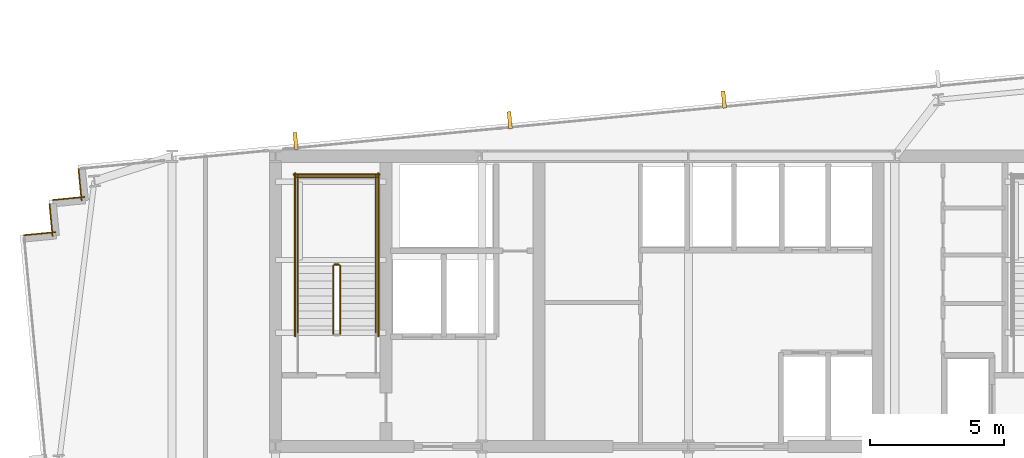
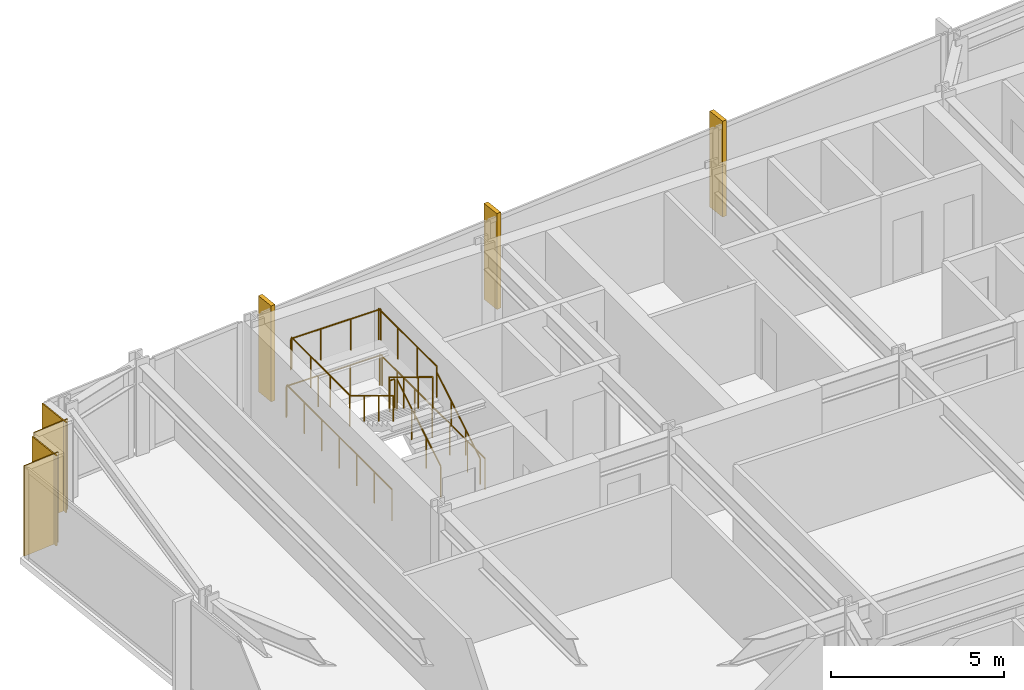
# One storey, part 31 of 32: 11 railings, 4 coverings, 3 shading devices.
"""IFC4 building model written with IfcOpenShell, lengths in metres."""

from ifc_helpers import new_model, si_unit, direction, frame, frame_2d, origin, origin_2d, place, context, subcontext, project, spatial, rectangle, circle, extrude, material, layer, layer_set, type_object, element, save


model = new_model("IFC4")

# Units and contexts
model_context = context("Model", 3, precision=1e-05, world=origin(), true_north=direction((0.0, 1.0)))
body_context = subcontext(model_context, "Body", "Model", "MODEL_VIEW")
ifc_project = project(units=[si_unit("LENGTHUNIT", "METRE"), si_unit("AREAUNIT", "SQUARE_METRE"), si_unit("VOLUMEUNIT", "CUBIC_METRE"), si_unit("PLANEANGLEUNIT", "RADIAN"), si_unit("MASSUNIT", "GRAM", prefix="KILO")], contexts=[model_context])

# Site, building, storey
site_placement = place(None, origin())
site = spatial("IfcSite", under=ifc_project, at=site_placement, CompositionType="ELEMENT")
building_placement = place(site_placement, origin())
building = spatial("IfcBuilding", under=site, at=building_placement, Name="Yelkora Congress Tower", CompositionType="ELEMENT")
storey_placement = place(building_placement, frame((0.0, 0.0, 99.89990234375)))
storey = spatial("IfcBuildingStorey", under=building, at=storey_placement, Name="L26", CompositionType="ELEMENT", Elevation=99.89990234375)

# Coverings
ifc_material_1 = material(Name="Anatolian bush-hammered limestone", Category="masonry")
ifc_layer_1 = layer(ifc_material_1, 0.0400390625)
ifc_layer_set_1 = layer_set([ifc_layer_1], Name="Anatolian bush-hammered limestone")
covering_type = type_object("IfcCoveringType", Name="COV-CLAD-SPANDREL-40", PredefinedType="CLADDING", material=ifc_layer_set_1)
for number, where, z_axis, x_axis, name in (
    (1, (13.677978515625, 43.260986328125, 0.0), (0.0, 0.0, 1.0), (0.995397091755, 0.095836473879, 0.0), "L26 Anatolian Limestone Cladding EW-L26-SR06"),
    (2, (14.7509765625, 43.228759765625, 0.0), (0.0, 0.0, 1.0), (-0.095836473879, 0.995397091755, 0.0), "L26 Anatolian Limestone Cladding EW-L26-SR07"),
):
    element("IfcCovering", number, at=place(storey_placement, frame(where, z_axis=z_axis, x_axis=x_axis)), inside=storey, type_object=covering_type, Name=name, PredefinedType="CLADDING", context=body_context, shape_type="SweptSolid", body=[
        extrude(rectangle(XDim=1.199951171875, YDim=0.0400390625, at=frame_2d((0.60009765625, 0.0))), origin(), (0.0, 0.0, 1.0), 3.18017578125),
    ])
for number, where, z_axis, x_axis, name in (
    (3, (14.75732421875, 44.570556640625, 0.0), (0.0, 0.0, 1.0), (0.995398960025, 0.095817067274, 0.0), "L26 Anatolian Limestone Cladding EW-L26-SR08"),
    (4, (15.830322265625, 44.5380859375, 0.0), (0.0, 0.0, 1.0), (-0.095817067274, 0.995398960025, 0.0), "L26 Anatolian Limestone Cladding EW-L26-SR09"),
):
    element("IfcCovering", number, at=place(storey_placement, frame(where, z_axis=z_axis, x_axis=x_axis)), inside=storey, type_object=covering_type, Name=name, PredefinedType="CLADDING", context=body_context, shape_type="SweptSolid", body=[
        extrude(rectangle(XDim=1.2001953125, YDim=0.0400390625, at=frame_2d((0.60009765625, 0.0))), origin(), (0.0, 0.0, 1.0), 3.18017578125),
    ])

# Railings
ifc_material_2 = material(Name="Painted galvanised steel stair well guard with vertical infill", Category="steel")
ifc_layer_2 = layer(ifc_material_2, 0.06005859375)
ifc_layer_set_2 = layer_set([ifc_layer_2], Name="Painted galvanised steel stair well guard with vertical infill")
railing_type_1 = type_object("IfcRailingType", Name="RAIL-STAIR-GUARD-1120", PredefinedType="GUARDRAIL", material=ifc_layer_set_2)
railing_1_placement = place(storey_placement, frame((25.449951171875, 39.60009765625, 0.170166015625)))
element("IfcRailing", 5, at=railing_1_placement, inside=storey, type_object=railing_type_1, Name="ST-01 L26 Stair Well Guardrail 1", PredefinedType="GUARDRAIL", context=body_context, shape_type="SweptSolid", body=[
    extrude(circle(Radius=0.02392578125, at=origin_2d()), frame((0.0, 0.0, 1.09619140625), z_axis=(0.0, 0.85478489116, 0.518982456201), x_axis=(-1.0, 0.0, 0.0)), (0.0, 0.0, 1.0), 2.9482421875),
    extrude(circle(Radius=0.02099609375, at=origin_2d()), origin(), (0.0, 0.0, 1.0), 1.072021484375),
    extrude(circle(Radius=0.02099609375, at=origin_2d()), frame((0.0, 0.840087890625, 0.510009765625)), (0.0, 0.0, 1.0), 1.072021484375),
    extrude(circle(Radius=0.02099609375, at=origin_2d()), frame((0.0, 1.679931640625, 1.02001953125)), (0.0, 0.0, 1.0), 1.072021484375),
    extrude(circle(Radius=0.02099609375, at=origin_2d()), frame((0.0, 2.52001953125, 1.530029296875)), (0.0, 0.0, 1.0), 1.072021484375),
])
railing_2_placement = place(storey_placement, frame((25.39990234375, 42.169921875, 1.7001953125)))
element("IfcRailing", 6, at=railing_2_placement, inside=storey, type_object=railing_type_1, Name="ST-01 L26 Stair Well Guardrail 2", PredefinedType="GUARDRAIL", context=body_context, shape_type="SweptSolid", body=[
    extrude(circle(Radius=0.02392578125, at=origin_2d()), frame((0.0, 0.0, 1.09619140625), z_axis=(-1.0, 0.0, 0.0), x_axis=(0.0, -1.0, 0.0)), (0.0, 0.0, 1.0), 0.159912109375),
    extrude(circle(Radius=0.02099609375, at=origin_2d()), origin(), (0.0, 0.0, 1.0), 1.072021484375),
    extrude(circle(Radius=0.02099609375, at=origin_2d()), frame((-0.159912109375, 0.0, 0.0)), (0.0, 0.0, 1.0), 1.072021484375),
])
for number, where, name in (
    (7, (26.77001953125, 42.1201171875, 1.7001953125), "ST-01 L26 Stair Well Guardrail 3"),
    (8, (23.8701171875, 42.1201171875, 1.7001953125), "ST-01 L26 Stair Well Guardrail 4"),
):
    element("IfcRailing", number, at=place(storey_placement, frame(where)), inside=storey, type_object=railing_type_1, Name=name, PredefinedType="GUARDRAIL", context=body_context, shape_type="SweptSolid", body=[
        extrude(circle(Radius=0.02392578125, at=origin_2d()), frame((0.0, 0.0, 1.09619140625), z_axis=(0.0, 1.0, 0.0), x_axis=(-1.0, 0.0, 0.0)), (0.0, 0.0, 1.0), 3.349853515625),
        extrude(circle(Radius=0.02099609375, at=origin_2d()), origin(), (0.0, 0.0, 1.0), 1.072021484375),
        extrude(circle(Radius=0.02099609375, at=origin_2d()), frame((0.0, 1.11669921875, 0.0)), (0.0, 0.0, 1.0), 1.072021484375),
        extrude(circle(Radius=0.02099609375, at=origin_2d()), frame((0.0, 2.233154296875, 0.0)), (0.0, 0.0, 1.0), 1.072021484375),
        extrude(circle(Radius=0.02099609375, at=origin_2d()), frame((0.0, 3.349853515625, 0.0)), (0.0, 0.0, 1.0), 1.072021484375),
    ])
railing_3_placement = place(storey_placement, frame((26.820068359375, 45.419921875, 1.7001953125)))
element("IfcRailing", 9, at=railing_3_placement, inside=storey, type_object=railing_type_1, Name="ST-01 L26 Stair Well Guardrail 5", PredefinedType="GUARDRAIL", context=body_context, shape_type="SweptSolid", body=[
    extrude(circle(Radius=0.02392578125, at=origin_2d()), frame((0.0, 0.0, 1.09619140625), z_axis=(-1.0, 0.0, 0.0), x_axis=(0.0, -1.0, 0.0)), (0.0, 0.0, 1.0), 3.0),
    extrude(circle(Radius=0.02099609375, at=origin_2d()), origin(), (0.0, 0.0, 1.0), 1.072021484375),
    extrude(circle(Radius=0.02099609375, at=origin_2d()), frame((-1.0, 0.0, 0.0)), (0.0, 0.0, 1.0), 1.072021484375),
    extrude(circle(Radius=0.02099609375, at=origin_2d()), frame((-2.0, 0.0, 0.0)), (0.0, 0.0, 1.0), 1.072021484375),
    extrude(circle(Radius=0.02099609375, at=origin_2d()), frame((-3.0, 0.0, 0.0)), (0.0, 0.0, 1.0), 1.072021484375),
])
railing_4_placement = place(storey_placement, frame((25.18994140625, 42.1201171875, 1.8701171875)))
element("IfcRailing", 10, at=railing_4_placement, inside=storey, type_object=railing_type_1, Name="ST-01 L26 Stair Well Guardrail 6", PredefinedType="GUARDRAIL", context=body_context, shape_type="SweptSolid", body=[
    extrude(circle(Radius=0.02392578125, at=origin_2d()), frame((0.0, 0.0, 1.09619140625), z_axis=(0.0, -0.85478489116, 0.518982456201), x_axis=(1.0, 0.0, 0.0)), (0.0, 0.0, 1.0), 2.9482421875),
    extrude(circle(Radius=0.02099609375, at=origin_2d()), origin(), (0.0, 0.0, 1.0), 1.072021484375),
    extrude(circle(Radius=0.02099609375, at=origin_2d()), frame((0.0, -0.840087890625, 0.510009765625)), (0.0, 0.0, 1.0), 1.072021484375),
    extrude(circle(Radius=0.02099609375, at=origin_2d()), frame((0.0, -1.679931640625, 1.02001953125)), (0.0, 0.0, 1.0), 1.072021484375),
    extrude(circle(Radius=0.02099609375, at=origin_2d()), frame((0.0, -2.52001953125, 1.530029296875)), (0.0, 0.0, 1.0), 1.072021484375),
])
for number, where, name in (
    (11, (26.8701171875, 39.5, 0.0), "ST-01 L26 Stair Well Guardrail 10"),
    (12, (23.77001953125, 39.5, 0.0), "ST-01 L26 Stair Well Guardrail 11"),
):
    element("IfcRailing", number, at=place(storey_placement, frame(where)), inside=storey, type_object=railing_type_1, Name=name, PredefinedType="GUARDRAIL", context=body_context, shape_type="SweptSolid", body=[
        extrude(circle(Radius=0.02392578125, at=origin_2d()), frame((0.0, 0.0, 1.09619140625), z_axis=(0.0, 1.0, 0.0), x_axis=(-1.0, 0.0, 0.0)), (0.0, 0.0, 1.0), 6.070068359375),
        extrude(circle(Radius=0.02099609375, at=origin_2d()), origin(), (0.0, 0.0, 1.0), 1.072021484375),
        extrude(circle(Radius=0.02099609375, at=origin_2d()), frame((0.0, 1.01171875, 0.0)), (0.0, 0.0, 1.0), 1.072021484375),
        extrude(circle(Radius=0.02099609375, at=origin_2d()), frame((0.0, 2.0234375, 0.0)), (0.0, 0.0, 1.0), 1.072021484375),
        extrude(circle(Radius=0.02099609375, at=origin_2d()), frame((0.0, 3.03515625, 0.0)), (0.0, 0.0, 1.0), 1.072021484375),
        extrude(circle(Radius=0.02099609375, at=origin_2d()), frame((0.0, 4.046630859375, 0.0)), (0.0, 0.0, 1.0), 1.072021484375),
        extrude(circle(Radius=0.02099609375, at=origin_2d()), frame((0.0, 5.058349609375, 0.0)), (0.0, 0.0, 1.0), 1.072021484375),
        extrude(circle(Radius=0.02099609375, at=origin_2d()), frame((0.0, 6.070068359375, 0.0)), (0.0, 0.0, 1.0), 1.072021484375),
    ])
railing_5_placement = place(storey_placement, frame((26.919921875, 45.52001953125, 0.0)))
element("IfcRailing", 13, at=railing_5_placement, inside=storey, type_object=railing_type_1, Name="ST-01 L26 Stair Well Guardrail 12", PredefinedType="GUARDRAIL", context=body_context, shape_type="SweptSolid", body=[
    extrude(circle(Radius=0.02392578125, at=origin_2d()), frame((0.0, 0.0, 1.09619140625), z_axis=(-1.0, 0.0, 0.0), x_axis=(0.0, -1.0, 0.0)), (0.0, 0.0, 1.0), 3.199951171875),
    extrude(circle(Radius=0.02099609375, at=origin_2d()), origin(), (0.0, 0.0, 1.0), 1.072021484375),
    extrude(circle(Radius=0.02099609375, at=origin_2d()), frame((-1.066650390625, 0.0, 0.0)), (0.0, 0.0, 1.0), 1.072021484375),
    extrude(circle(Radius=0.02099609375, at=origin_2d()), frame((-2.13330078125, 0.0, 0.0)), (0.0, 0.0, 1.0), 1.072021484375),
    extrude(circle(Radius=0.02099609375, at=origin_2d()), frame((-3.199951171875, 0.0, 0.0)), (0.0, 0.0, 1.0), 1.072021484375),
])
ifc_material_3 = material(Name="Brushed stainless steel tubular handrail", Category="steel")
ifc_layer_3 = layer(ifc_material_3, 0.050048828125)
ifc_layer_set_3 = layer_set([ifc_layer_3], Name="Brushed stainless steel tubular handrail")
railing_type_2 = type_object("IfcRailingType", Name="RAIL-STAIR-HAND-920", PredefinedType="HANDRAIL", material=ifc_layer_set_3)
railing_6_placement = place(storey_placement, frame((26.77001953125, 39.60009765625, 0.170166015625)))
element("IfcRailing", 14, at=railing_6_placement, inside=storey, type_object=railing_type_2, Name="ST-01 L26 Pitch Handrail 1", PredefinedType="HANDRAIL", context=body_context, shape_type="SweptSolid", body=[
    extrude(circle(Radius=0.02392578125, at=origin_2d()), frame((0.0, 0.0, 0.89599609375), z_axis=(0.0, 0.85478489116, 0.518982456201), x_axis=(-1.0, 0.0, 0.0)), (0.0, 0.0, 1.0), 2.9482421875),
    extrude(circle(Radius=0.02099609375, at=origin_2d()), origin(), (0.0, 0.0, 1.0), 0.871826171875),
    extrude(circle(Radius=0.02099609375, at=origin_2d()), frame((0.0, 0.840087890625, 0.510009765625)), (0.0, 0.0, 1.0), 0.871826171875),
    extrude(circle(Radius=0.02099609375, at=origin_2d()), frame((0.0, 1.679931640625, 1.02001953125)), (0.0, 0.0, 1.0), 0.871826171875),
    extrude(circle(Radius=0.02099609375, at=origin_2d()), frame((0.0, 2.52001953125, 1.530029296875)), (0.0, 0.0, 1.0), 0.871826171875),
])
railing_7_placement = place(storey_placement, frame((23.8701171875, 42.1201171875, 1.8701171875)))
element("IfcRailing", 15, at=railing_7_placement, inside=storey, type_object=railing_type_2, Name="ST-01 L26 Pitch Handrail 2", PredefinedType="HANDRAIL", context=body_context, shape_type="SweptSolid", body=[
    extrude(circle(Radius=0.02392578125, at=origin_2d()), frame((0.0, 0.0, 0.89599609375), z_axis=(0.0, -0.85478489116, 0.518982456201), x_axis=(1.0, 0.0, 0.0)), (0.0, 0.0, 1.0), 2.9482421875),
    extrude(circle(Radius=0.02099609375, at=origin_2d()), origin(), (0.0, 0.0, 1.0), 0.871826171875),
    extrude(circle(Radius=0.02099609375, at=origin_2d()), frame((0.0, -0.840087890625, 0.510009765625)), (0.0, 0.0, 1.0), 0.871826171875),
    extrude(circle(Radius=0.02099609375, at=origin_2d()), frame((0.0, -1.679931640625, 1.02001953125)), (0.0, 0.0, 1.0), 0.871826171875),
    extrude(circle(Radius=0.02099609375, at=origin_2d()), frame((0.0, -2.52001953125, 1.530029296875)), (0.0, 0.0, 1.0), 0.871826171875),
])

# Shading devices
ifc_material_4 = material(Name="Champagne anodised aluminium", Category="aluminium")
ifc_layer_4 = layer(ifc_material_4, 3.39990234375)
ifc_layer_set_4 = layer_set([ifc_layer_4], Name="Champagne anodised aluminium")
shading_device_type = type_object("IfcShadingDeviceType", Name="SHD-FIN-ALU-640", PredefinedType="USERDEFINED", material=ifc_layer_set_4)
for number, where, z_axis, x_axis, name in (
    (16, (23.791015625, 46.771484375, -0.02978515625), (0.0, 0.0, 1.0), (0.995396198367, 0.09584575252, 0.0), "L26 Vertical Anodised Solar Fin 10-1"),
    (17, (31.7568359375, 47.53857421875, -0.02978515625), (0.0, 0.0, 1.0), (0.995396198367, 0.09584575252, 0.0), "L26 Vertical Anodised Solar Fin 10-2"),
    (18, (39.722900390625, 48.3056640625, -0.02978515625), (0.0, 0.0, 1.0), (0.995396198367, 0.09584575252, 0.0), "L26 Vertical Anodised Solar Fin 10-3"),
):
    element("IfcShadingDevice", number, at=place(storey_placement, frame(where, z_axis=z_axis, x_axis=x_axis)), inside=storey, type_object=shading_device_type, Name=name, ObjectType="FIN", PredefinedType="USERDEFINED", context=body_context, shape_type="SweptSolid", body=[
        extrude(rectangle(XDim=0.139892578125, YDim=0.639892578125, at=origin_2d()), origin(), (0.0, 0.0, 1.0), 3.3798828125),
    ])

save(model, "model.ifc")
